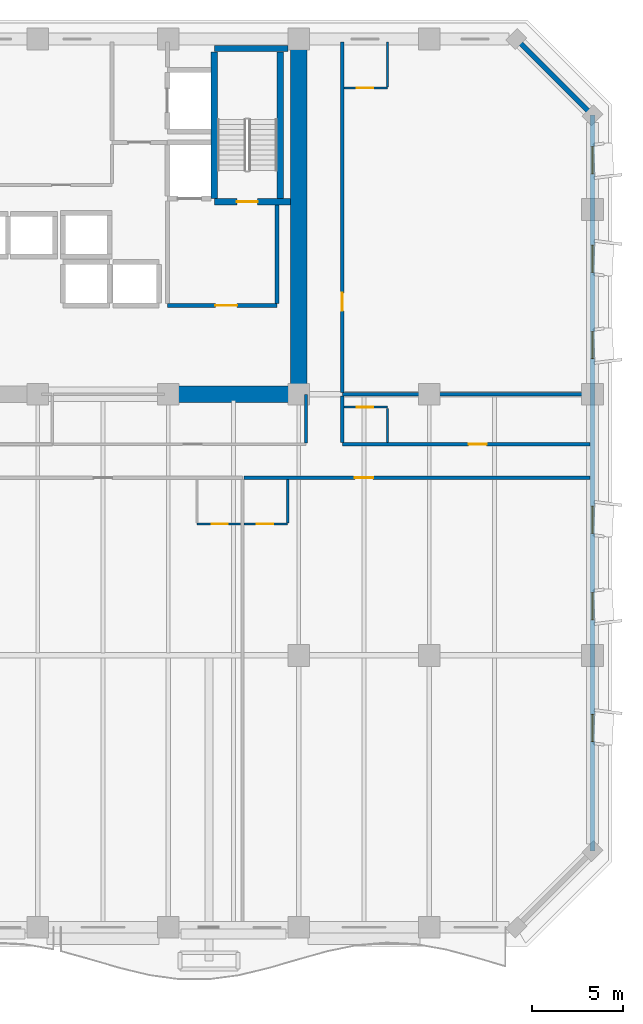
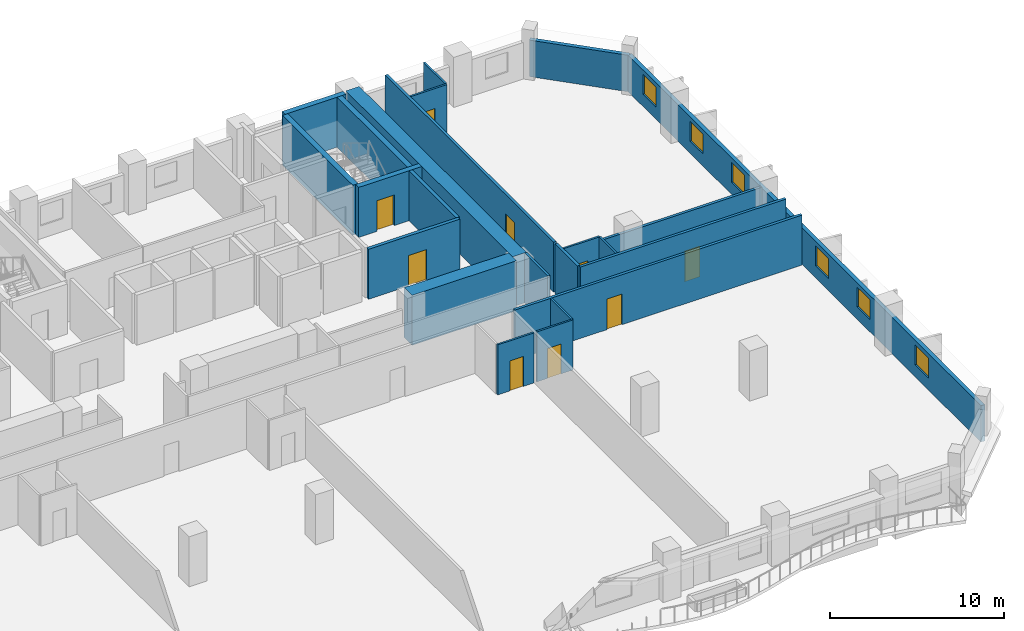
# One storey, part 9 of 14: 23 walls, 9 doors, 6 windows, 15 openings.
"""IFC4 building model written with IfcOpenShell, lengths in metres."""

from ifc_helpers import new_model, si_unit, direction, frame, frame_2d, origin, place, context, subcontext, project, spatial, rectangle, extrude, material, layer, layer_set, type_object, element, fill, save


model = new_model("IFC4")

# Units and contexts
model_context = context("Model", 3, precision=1e-05, world=origin(), true_north=direction((0.0, 1.0)))
body_context = subcontext(model_context, "Body", "Model", "MODEL_VIEW")
ifc_project = project(units=[si_unit("LENGTHUNIT", "METRE"), si_unit("AREAUNIT", "SQUARE_METRE"), si_unit("VOLUMEUNIT", "CUBIC_METRE"), si_unit("PLANEANGLEUNIT", "RADIAN"), si_unit("MASSUNIT", "GRAM", prefix="KILO")], contexts=[model_context])

# Site, building, storey
site_placement = place(None, origin())
site = spatial("IfcSite", under=ifc_project, at=site_placement, CompositionType="ELEMENT")
building_placement = place(site_placement, origin())
building = spatial("IfcBuilding", under=site, at=building_placement, Name="Kaelvorn Grand Hotel", CompositionType="ELEMENT")
storey_placement = place(building_placement, frame((0.0, 0.0, 126.800048828125)))
storey = spatial("IfcBuildingStorey", under=building, at=storey_placement, Name="L30", CompositionType="ELEMENT", Elevation=126.800048828125)

# Walls
ifc_material_1 = material(Name="Concrete C60/75", Category="concrete")
ifc_layer_1 = layer(ifc_material_1, 0.89990234375)
ifc_layer_set_1 = layer_set([ifc_layer_1], Name="Concrete C60/75")
wall_type_1 = type_object("IfcWallType", Name="WL-CORE-900-C60", PredefinedType="SHEAR", material=ifc_layer_set_1)
wall_1_placement = place(storey_placement, frame((67.800048828125, 29.39990234375, 0.0), z_axis=(0.0, 0.0, 1.0), x_axis=(0.0, 1.0, 0.0)))
element("IfcWall", 1, at=wall_1_placement, inside=storey, type_object=wall_type_1, Name="L30 Rear-Core East Shear Wall", PredefinedType="SHEAR", context=body_context, shape_type="SweptSolid", body=[
    extrude(rectangle(XDim=19.2001953125, YDim=0.89990234375, at=frame_2d((9.60009765625, 0.0))), origin(), (0.0, 0.0, 1.0), 3.510009765625),
])
wall_2_placement = place(storey_placement, frame((60.39990234375, 29.39990234375, 0.0), z_axis=(0.0, 0.0, 1.0), x_axis=(1.0, 0.0, 0.0)))
element("IfcWall", 2, at=wall_2_placement, inside=storey, type_object=wall_type_1, Name="L30 Rear-Core Coupled Shear Pier S4", PredefinedType="SHEAR", context=body_context, shape_type="SweptSolid", body=[
    extrude(rectangle(XDim=6.945068359375, YDim=0.89990234375, at=frame_2d((3.47265625, 0.0))), origin(), (0.0, 0.0, 1.0), 3.510009765625),
])

# Wall, openings, windows
ifc_material_2 = material(Name="Concrete C40/50", Category="concrete")
ifc_layer_2 = layer(ifc_material_2, 0.260009765625)
ifc_layer_set_2 = layer_set([ifc_layer_2], Name="Concrete C40/50")
wall_type_2 = type_object("IfcWallType", Name="WL-EXT-260-C40", PredefinedType="SOLIDWALL", material=ifc_layer_set_2)
wall_3_placement = place(storey_placement, frame((84.0, 4.199951171875, 0.0), z_axis=(0.0, 0.0, 1.0), x_axis=(0.0, 1.0, 0.0)))
wall_3 = element("IfcWall", 3, at=wall_3_placement, inside=storey, type_object=wall_type_2, Name="L30 Exterior Architectural Concrete Wall 03", PredefinedType="SOLIDWALL", context=body_context, shape_type="SweptSolid", body=[
    extrude(rectangle(XDim=40.60009765625, YDim=0.260009765625, at=frame_2d((20.300048828125, 0.0))), origin(), (0.0, 0.0, 1.0), 2.56005859375),
])
opening_1_placement = place(wall_3_placement, frame((6.050048828125, 0.0, 0.85009765625)))
opening_1 = element("IfcOpeningElement", 4, at=opening_1_placement, cuts=wall_3, Name="Opening W10", PredefinedType="OPENING", context=body_context, shape_type="SweptSolid", body=[
    extrude(rectangle(XDim=1.5, YDim=1.39990234375, at=frame_2d((0.75, 0.699951171875))), frame((0.0, 0.14013671875, 0.0), z_axis=(0.0, -1.0, 0.0), x_axis=(1.0, 0.0, 0.0)), (0.0, 0.0, 1.0), 0.280029296875),
])
opening_2_placement = place(wall_3_placement, frame((12.764892578125, 0.0, 0.85009765625)))
opening_2 = element("IfcOpeningElement", 5, at=opening_2_placement, cuts=wall_3, Name="Opening W10", PredefinedType="OPENING", context=body_context, shape_type="SweptSolid", body=[
    extrude(rectangle(XDim=1.5, YDim=1.39990234375, at=frame_2d((0.75, 0.699951171875))), frame((0.0, 0.14013671875, 0.0), z_axis=(0.0, -1.0, 0.0), x_axis=(1.0, 0.0, 0.0)), (0.0, 0.0, 1.0), 0.280029296875),
])
opening_3_placement = place(wall_3_placement, frame((17.534912109375, 0.0, 0.85009765625)))
opening_3 = element("IfcOpeningElement", 6, at=opening_3_placement, cuts=wall_3, Name="Opening W10", PredefinedType="OPENING", context=body_context, shape_type="SweptSolid", body=[
    extrude(rectangle(XDim=1.5, YDim=1.39990234375, at=frame_2d((0.75, 0.699951171875))), frame((0.0, 0.14013671875, 0.0), z_axis=(0.0, -1.0, 0.0), x_axis=(1.0, 0.0, 0.0)), (0.0, 0.0, 1.0), 0.280029296875),
])
opening_4_placement = place(wall_3_placement, frame((27.1650390625, 0.0, 0.85009765625)))
opening_4 = element("IfcOpeningElement", 7, at=opening_4_placement, cuts=wall_3, Name="Opening W10", PredefinedType="OPENING", context=body_context, shape_type="SweptSolid", body=[
    extrude(rectangle(XDim=1.5, YDim=1.39990234375, at=frame_2d((0.75, 0.699951171875))), frame((0.0, 0.14013671875, 0.0), z_axis=(0.0, -1.0, 0.0), x_axis=(1.0, 0.0, 0.0)), (0.0, 0.0, 1.0), 0.280029296875),
])
opening_5_placement = place(wall_3_placement, frame((31.93505859375, 0.0, 0.85009765625)))
opening_5 = element("IfcOpeningElement", 8, at=opening_5_placement, cuts=wall_3, Name="Opening W10", PredefinedType="OPENING", context=body_context, shape_type="SweptSolid", body=[
    extrude(rectangle(XDim=1.5, YDim=1.39990234375, at=frame_2d((0.75, 0.699951171875))), frame((0.0, 0.14013671875, 0.0), z_axis=(0.0, -1.0, 0.0), x_axis=(1.0, 0.0, 0.0)), (0.0, 0.0, 1.0), 0.280029296875),
])
opening_6_placement = place(wall_3_placement, frame((37.364990234375, 0.0, 0.85009765625)))
opening_6 = element("IfcOpeningElement", 9, at=opening_6_placement, cuts=wall_3, Name="Opening W10", PredefinedType="OPENING", context=body_context, shape_type="SweptSolid", body=[
    extrude(rectangle(XDim=1.5, YDim=1.39990234375, at=frame_2d((0.75, 0.699951171875))), frame((0.0, 0.14013671875, 0.0), z_axis=(0.0, -1.0, 0.0), x_axis=(1.0, 0.0, 0.0)), (0.0, 0.0, 1.0), 0.280029296875),
])
ifc_material_3 = material(Name="Laminated Low-E Glass", Category="glass")
window_type = type_object("IfcWindowType", Name="WIN-COR-1500x1400", PartitioningType="SINGLE_PANEL", PredefinedType="WINDOW", material=ifc_material_3)
window_1_placement = place(opening_1_placement, origin())
window_1 = element("IfcWindow", 10, at=window_1_placement, inside=storey, type_object=window_type, Name="L30 E Wing Tilted-Frame Ribbon Window E01", OverallHeight=1.39990234375, OverallWidth=1.5, PartitioningType="SINGLE_PANEL", PredefinedType="WINDOW", context=body_context, shape_type="SweptSolid", body=[
    extrude(rectangle(XDim=1.5, YDim=1.39990234375, at=frame_2d((0.75, 0.699951171875))), frame((0.0, 0.030029296875, 0.0), z_axis=(0.0, -1.0, 0.0), x_axis=(1.0, 0.0, 0.0)), (0.0, 0.0, 1.0), 0.06005859375),
])
fill(opening_1, window_1)
window_2_placement = place(opening_2_placement, origin())
window_2 = element("IfcWindow", 11, at=window_2_placement, inside=storey, type_object=window_type, Name="L30 E Wing Tilted-Frame Ribbon Window E02", OverallHeight=1.39990234375, OverallWidth=1.5, PartitioningType="SINGLE_PANEL", PredefinedType="WINDOW", context=body_context, shape_type="SweptSolid", body=[
    extrude(rectangle(XDim=1.5, YDim=1.39990234375, at=frame_2d((0.75, 0.699951171875))), frame((0.0, 0.030029296875, 0.0), z_axis=(0.0, -1.0, 0.0), x_axis=(1.0, 0.0, 0.0)), (0.0, 0.0, 1.0), 0.06005859375),
])
fill(opening_2, window_2)
window_3_placement = place(opening_3_placement, origin())
window_3 = element("IfcWindow", 12, at=window_3_placement, inside=storey, type_object=window_type, Name="L30 E Wing Tilted-Frame Ribbon Window E03", OverallHeight=1.39990234375, OverallWidth=1.5, PartitioningType="SINGLE_PANEL", PredefinedType="WINDOW", context=body_context, shape_type="SweptSolid", body=[
    extrude(rectangle(XDim=1.5, YDim=1.39990234375, at=frame_2d((0.75, 0.699951171875))), frame((0.0, 0.030029296875, 0.0), z_axis=(0.0, -1.0, 0.0), x_axis=(1.0, 0.0, 0.0)), (0.0, 0.0, 1.0), 0.06005859375),
])
fill(opening_3, window_3)
window_4_placement = place(opening_4_placement, origin())
window_4 = element("IfcWindow", 13, at=window_4_placement, inside=storey, type_object=window_type, Name="L30 E Wing Tilted-Frame Ribbon Window E04", OverallHeight=1.39990234375, OverallWidth=1.5, PartitioningType="SINGLE_PANEL", PredefinedType="WINDOW", context=body_context, shape_type="SweptSolid", body=[
    extrude(rectangle(XDim=1.5, YDim=1.39990234375, at=frame_2d((0.75, 0.699951171875))), frame((0.0, 0.030029296875, 0.0), z_axis=(0.0, -1.0, 0.0), x_axis=(1.0, 0.0, 0.0)), (0.0, 0.0, 1.0), 0.06005859375),
])
fill(opening_4, window_4)
window_5_placement = place(opening_5_placement, origin())
window_5 = element("IfcWindow", 14, at=window_5_placement, inside=storey, type_object=window_type, Name="L30 E Wing Tilted-Frame Ribbon Window E05", OverallHeight=1.39990234375, OverallWidth=1.5, PartitioningType="SINGLE_PANEL", PredefinedType="WINDOW", context=body_context, shape_type="SweptSolid", body=[
    extrude(rectangle(XDim=1.5, YDim=1.39990234375, at=frame_2d((0.75, 0.699951171875))), frame((0.0, 0.030029296875, 0.0), z_axis=(0.0, -1.0, 0.0), x_axis=(1.0, 0.0, 0.0)), (0.0, 0.0, 1.0), 0.06005859375),
])
fill(opening_5, window_5)
window_6_placement = place(opening_6_placement, origin())
window_6 = element("IfcWindow", 15, at=window_6_placement, inside=storey, type_object=window_type, Name="L30 E Wing Tilted-Frame Ribbon Window E06", OverallHeight=1.39990234375, OverallWidth=1.5, PartitioningType="SINGLE_PANEL", PredefinedType="WINDOW", context=body_context, shape_type="SweptSolid", body=[
    extrude(rectangle(XDim=1.5, YDim=1.39990234375, at=frame_2d((0.75, 0.699951171875))), frame((0.0, 0.030029296875, 0.0), z_axis=(0.0, -1.0, 0.0), x_axis=(1.0, 0.0, 0.0)), (0.0, 0.0, 1.0), 0.06005859375),
])
fill(opening_6, window_6)

# Wall
wall_4_placement = place(storey_placement, frame((84.0, 44.800048828125, 0.0), z_axis=(0.0, 0.0, 1.0), x_axis=(-0.707106781187, 0.707106781187, 0.0)))
element("IfcWall", 16, at=wall_4_placement, inside=storey, type_object=wall_type_2, Name="L30 Exterior Architectural Concrete Wall 04", PredefinedType="SOLIDWALL", context=body_context, shape_type="SweptSolid", body=[
    extrude(rectangle(XDim=5.939697265625, YDim=0.260009765625, at=frame_2d((2.9697265625, 0.0))), origin(), (0.0, 0.0, 1.0), 2.56005859375),
])

# Wall, opening, door
ifc_material_4 = material(Name="Moisture-Resistant Tile & Stud Board")
ifc_layer_3 = layer(ifc_material_4, 0.125)
ifc_layer_set_3 = layer_set([ifc_layer_3], Name="Moisture-Resistant Tile & Stud Board")
wall_type_3 = type_object("IfcWallType", Name="WL-PART-125-WET", PredefinedType="PARTITIONING", material=ifc_layer_set_3)
wall_5_placement = place(storey_placement, frame((62.190673828125, 22.25, 0.0), z_axis=(0.0, 0.0, 1.0), x_axis=(1.0, 0.0, 0.0)))
wall_5 = element("IfcWall", 17, at=wall_5_placement, inside=storey, type_object=wall_type_3, Name="L30 En-suite Bathroom L30-04 S Partition", PredefinedType="PARTITIONING", context=body_context, shape_type="SweptSolid", body=[
    extrude(rectangle(XDim=2.405029296875, YDim=0.125, at=frame_2d((1.20263671875, 0.0))), origin(), (0.0, 0.0, 1.0), 3.510009765625),
])
opening_7_placement = place(wall_5_placement, frame((0.800048828125, 0.0, 0.0)))
opening_7 = element("IfcOpeningElement", 18, at=opening_7_placement, cuts=wall_5, Name="Opening DI4", PredefinedType="OPENING", context=body_context, shape_type="SweptSolid", body=[
    extrude(rectangle(XDim=0.89990234375, YDim=2.10009765625, at=frame_2d((0.449951171875, 1.050048828125))), frame((0.0, 0.072509765625, 0.0), z_axis=(0.0, -1.0, 0.0), x_axis=(1.0, 0.0, 0.0)), (0.0, 0.0, 1.0), 0.14501953125),
])
ifc_material_5 = material(Name="Timber Veneer Leaf", Category="wood")
door_type_1 = type_object("IfcDoorType", Name="DR-INT-BATH-900x2100", OperationType="NOTDEFINED", PredefinedType="DOOR", material=ifc_material_5)
door_1_placement = place(opening_7_placement, origin())
door_1 = element("IfcDoor", 19, at=door_1_placement, inside=storey, type_object=door_type_1, Name="L30 En-suite Bathroom L30-04 Door", OperationType="SINGLE_SWING_RIGHT", OverallHeight=2.10009765625, OverallWidth=0.89990234375, PredefinedType="DOOR", context=body_context, shape_type="SweptSolid", body=[
    extrude(rectangle(XDim=0.89990234375, YDim=2.10009765625, at=frame_2d((0.449951171875, 1.050048828125))), frame((0.0, 0.02490234375, 0.0), z_axis=(0.0, -1.0, 0.0), x_axis=(1.0, 0.0, 0.0)), (0.0, 0.0, 1.0), 0.050048828125),
])
fill(opening_7, door_1)

wall_6_placement = place(storey_placement, frame((64.78564453125, 22.25, 0.0), z_axis=(0.0, 0.0, 1.0), x_axis=(1.0, 0.0, 0.0)))
wall_6 = element("IfcWall", 20, at=wall_6_placement, inside=storey, type_object=wall_type_3, Name="L30 En-suite Bathroom L30-05 S Partition", PredefinedType="PARTITIONING", context=body_context, shape_type="SweptSolid", body=[
    extrude(rectangle(XDim=2.405029296875, YDim=0.125, at=frame_2d((1.20263671875, 0.0))), origin(), (0.0, 0.0, 1.0), 3.510009765625),
])
opening_8_placement = place(wall_6_placement, frame((0.705078125, 0.0, 0.0)))
opening_8 = element("IfcOpeningElement", 21, at=opening_8_placement, cuts=wall_6, Name="Opening DI4", PredefinedType="OPENING", context=body_context, shape_type="SweptSolid", body=[
    extrude(rectangle(XDim=0.89990234375, YDim=2.10009765625, at=frame_2d((0.449951171875, 1.050048828125))), frame((0.0, 0.072509765625, 0.0), z_axis=(0.0, -1.0, 0.0), x_axis=(1.0, 0.0, 0.0)), (0.0, 0.0, 1.0), 0.14501953125),
])
door_2_placement = place(opening_8_placement, origin())
door_2 = element("IfcDoor", 22, at=door_2_placement, inside=storey, type_object=door_type_1, Name="L30 En-suite Bathroom L30-05 Door", OperationType="SINGLE_SWING_RIGHT", OverallHeight=2.10009765625, OverallWidth=0.89990234375, PredefinedType="DOOR", context=body_context, shape_type="SweptSolid", body=[
    extrude(rectangle(XDim=0.89990234375, YDim=2.10009765625, at=frame_2d((0.449951171875, 1.050048828125))), frame((0.0, 0.02490234375, 0.0), z_axis=(0.0, -1.0, 0.0), x_axis=(1.0, 0.0, 0.0)), (0.0, 0.0, 1.0), 0.050048828125),
])
fill(opening_8, door_2)

# Wall
wall_7_placement = place(storey_placement, frame((67.190673828125, 22.3173828125, 0.0), z_axis=(0.0, 0.0, 1.0), x_axis=(0.0, 1.0, 0.0)))
element("IfcWall", 23, at=wall_7_placement, inside=storey, type_object=wall_type_3, Name="L30 En-suite Bathroom L30-05 E Partition", PredefinedType="PARTITIONING", context=body_context, shape_type="SweptSolid", body=[
    extrude(rectangle(XDim=2.3876953125, YDim=0.125, at=frame_2d((1.19384765625, 0.0))), origin(), (0.0, 0.0, 1.0), 3.510009765625),
])

# Wall, opening, door
wall_8_placement = place(storey_placement, frame((70.294921875, 28.699951171875, 0.0), z_axis=(0.0, 0.0, 1.0), x_axis=(1.0, 0.0, 0.0)))
wall_8 = element("IfcWall", 24, at=wall_8_placement, inside=storey, type_object=wall_type_3, Name="L30 En-suite Bathroom L30-07 N Partition", PredefinedType="PARTITIONING", context=body_context, shape_type="SweptSolid", body=[
    extrude(rectangle(XDim=2.405029296875, YDim=0.125, at=frame_2d((1.20263671875, 0.0))), origin(), (0.0, 0.0, 1.0), 3.510009765625),
])
opening_9_placement = place(wall_8_placement, frame((0.705078125, 0.0, 0.0)))
opening_9 = element("IfcOpeningElement", 25, at=opening_9_placement, cuts=wall_8, Name="Opening DI4", PredefinedType="OPENING", context=body_context, shape_type="SweptSolid", body=[
    extrude(rectangle(XDim=0.89990234375, YDim=2.10009765625, at=frame_2d((0.449951171875, 1.050048828125))), frame((0.0, 0.072509765625, 0.0), z_axis=(0.0, -1.0, 0.0), x_axis=(1.0, 0.0, 0.0)), (0.0, 0.0, 1.0), 0.14501953125),
])
door_3_placement = place(opening_9_placement, origin())
door_3 = element("IfcDoor", 26, at=door_3_placement, inside=storey, type_object=door_type_1, Name="L30 En-suite Bathroom L30-07 Door", OperationType="SINGLE_SWING_RIGHT", OverallHeight=2.10009765625, OverallWidth=0.89990234375, PredefinedType="DOOR", context=body_context, shape_type="SweptSolid", body=[
    extrude(rectangle(XDim=0.89990234375, YDim=2.10009765625, at=frame_2d((0.449951171875, 1.050048828125))), frame((0.0, 0.02490234375, 0.0), z_axis=(0.0, -1.0, 0.0), x_axis=(1.0, 0.0, 0.0)), (0.0, 0.0, 1.0), 0.050048828125),
])
fill(opening_9, door_3)

# Wall
wall_9_placement = place(storey_placement, frame((72.699951171875, 26.7451171875, 0.0), z_axis=(0.0, 0.0, 1.0), x_axis=(0.0, 1.0, 0.0)))
element("IfcWall", 27, at=wall_9_placement, inside=storey, type_object=wall_type_3, Name="L30 En-suite Bathroom L30-07 E Partition", PredefinedType="PARTITIONING", context=body_context, shape_type="SweptSolid", body=[
    extrude(rectangle(XDim=1.887451171875, YDim=0.125, at=frame_2d((0.94384765625, 0.0))), origin(), (0.0, 0.0, 1.0), 3.510009765625),
])

# Wall, opening, door
wall_10_placement = place(storey_placement, frame((70.294921875, 46.300048828125, 0.0), z_axis=(0.0, 0.0, 1.0), x_axis=(1.0, 0.0, 0.0)))
wall_10 = element("IfcWall", 28, at=wall_10_placement, inside=storey, type_object=wall_type_3, Name="L30 En-suite Bathroom L30-08 S Partition", PredefinedType="PARTITIONING", context=body_context, shape_type="SweptSolid", body=[
    extrude(rectangle(XDim=2.405029296875, YDim=0.125, at=frame_2d((1.20263671875, 0.0))), origin(), (0.0, 0.0, 1.0), 3.510009765625),
])
opening_10_placement = place(wall_10_placement, frame((0.705078125, 0.0, 0.0)))
opening_10 = element("IfcOpeningElement", 29, at=opening_10_placement, cuts=wall_10, Name="Opening DI4", PredefinedType="OPENING", context=body_context, shape_type="SweptSolid", body=[
    extrude(rectangle(XDim=0.89990234375, YDim=2.10009765625, at=frame_2d((0.449951171875, 1.050048828125))), frame((0.0, 0.072509765625, 0.0), z_axis=(0.0, -1.0, 0.0), x_axis=(1.0, 0.0, 0.0)), (0.0, 0.0, 1.0), 0.14501953125),
])
door_4_placement = place(opening_10_placement, origin())
door_4 = element("IfcDoor", 30, at=door_4_placement, inside=storey, type_object=door_type_1, Name="L30 En-suite Bathroom L30-08 Door", OperationType="SINGLE_SWING_RIGHT", OverallHeight=2.10009765625, OverallWidth=0.89990234375, PredefinedType="DOOR", context=body_context, shape_type="SweptSolid", body=[
    extrude(rectangle(XDim=0.89990234375, YDim=2.10009765625, at=frame_2d((0.449951171875, 1.050048828125))), frame((0.0, 0.02490234375, 0.0), z_axis=(0.0, -1.0, 0.0), x_axis=(1.0, 0.0, 0.0)), (0.0, 0.0, 1.0), 0.050048828125),
])
fill(opening_10, door_4)

# Walls
wall_11_placement = place(storey_placement, frame((72.699951171875, 46.367431640625, 0.0), z_axis=(0.0, 0.0, 1.0), x_axis=(0.0, 1.0, 0.0)))
element("IfcWall", 31, at=wall_11_placement, inside=storey, type_object=wall_type_3, Name="L30 En-suite Bathroom L30-08 E Partition", PredefinedType="PARTITIONING", context=body_context, shape_type="SweptSolid", body=[
    extrude(rectangle(XDim=2.482666015625, YDim=0.125, at=frame_2d((1.2412109375, 0.0))), origin(), (0.0, 0.0, 1.0), 3.510009765625),
])
ifc_material_6 = material(Name="Acoustic Gypsum & Stud Partition")
ifc_layer_4 = layer(ifc_material_6, 0.14990234375)
ifc_layer_set_4 = layer_set([ifc_layer_4], Name="Acoustic Gypsum & Stud Partition")
wall_type_4 = type_object("IfcWallType", Name="WL-PART-150-EI60", PredefinedType="PARTITIONING", material=ifc_layer_set_4)
wall_12_placement = place(storey_placement, frame((68.199951171875, 26.72998046875, 0.0), z_axis=(0.0, 0.0, 1.0), x_axis=(0.0, 1.0, 0.0)))
element("IfcWall", 32, at=wall_12_placement, inside=storey, type_object=wall_type_4, Name="L30 Diplomatic Chancery Office E Partition", PredefinedType="PARTITIONING", context=body_context, shape_type="SweptSolid", body=[
    extrude(rectangle(XDim=2.659912109375, YDim=0.14990234375, at=frame_2d((1.330078125, 0.0))), origin(), (0.0, 0.0, 1.0), 3.510009765625),
])

# Wall, opening, door
ifc_layer_5 = layer(ifc_material_6, 0.179931640625)
ifc_layer_set_5 = layer_set([ifc_layer_5], Name="Acoustic Gypsum & Stud Partition")
wall_type_5 = type_object("IfcWallType", Name="WL-PART-180-EI60", PredefinedType="PARTITIONING", material=ifc_layer_set_5)
wall_13_placement = place(storey_placement, frame((64.78564453125, 24.800048828125, 0.0), z_axis=(0.0, 0.0, 1.0), x_axis=(1.0, 0.0, 0.0)))
wall_13 = element("IfcWall", 33, at=wall_13_placement, inside=storey, type_object=wall_type_5, Name="L30 Presidential Sky Suite L30-05 N Partition", PredefinedType="PARTITIONING", context=body_context, shape_type="SweptSolid", body=[
    extrude(rectangle(XDim=19.064453125, YDim=0.179931640625, at=frame_2d((9.5322265625, 0.0))), origin(), (0.0, 0.0, 1.0), 3.510009765625),
])
opening_11_placement = place(wall_13_placement, frame((6.114501953125, 0.0, 0.0)))
opening_11 = element("IfcOpeningElement", 34, at=opening_11_placement, cuts=wall_13, Name="Opening DI3", PredefinedType="OPENING", context=body_context, shape_type="SweptSolid", body=[
    extrude(rectangle(XDim=1.0, YDim=2.14990234375, at=frame_2d((0.5, 1.074951171875))), frame((0.0, 0.10009765625, 0.0), z_axis=(0.0, -1.0, 0.0), x_axis=(1.0, 0.0, 0.0)), (0.0, 0.0, 1.0), 0.199951171875),
])
ifc_material_7 = material(Name="Timber Veneer Fire Leaf", Category="wood")
door_type_2 = type_object("IfcDoorType", Name="DR-INT-GUEST-1000x2150", OperationType="NOTDEFINED", PredefinedType="DOOR", material=ifc_material_7)
door_5_placement = place(opening_11_placement, origin())
door_5 = element("IfcDoor", 35, at=door_5_placement, inside=storey, type_object=door_type_2, Name="L30 Presidential Sky Suite L30-05 Door", OperationType="SINGLE_SWING_LEFT", OverallHeight=2.14990234375, OverallWidth=1.0, PredefinedType="DOOR", context=body_context, shape_type="SweptSolid", body=[
    extrude(rectangle(XDim=1.0, YDim=2.14990234375, at=frame_2d((0.5, 1.074951171875))), frame((0.0, 0.02490234375, 0.0), z_axis=(0.0, -1.0, 0.0), x_axis=(1.0, 0.0, 0.0)), (0.0, 0.0, 1.0), 0.050048828125),
])
fill(opening_11, door_5)

wall_14_placement = place(storey_placement, frame((70.199951171875, 26.64990234375, 0.0), z_axis=(0.0, 0.0, 1.0), x_axis=(1.0, 0.0, 0.0)))
wall_14 = element("IfcWall", 36, at=wall_14_placement, inside=storey, type_object=wall_type_5, Name="L30 East Chamfer Corner Suite L30-07 S Partition", PredefinedType="PARTITIONING", context=body_context, shape_type="SweptSolid", body=[
    extrude(rectangle(XDim=13.650146484375, YDim=0.179931640625, at=frame_2d((6.8251953125, 0.0))), origin(), (0.0, 0.0, 1.0), 3.510009765625),
])
opening_12_placement = place(wall_14_placement, frame((6.965087890625, 0.0, 0.0)))
opening_12 = element("IfcOpeningElement", 37, at=opening_12_placement, cuts=wall_14, Name="Opening DI3", PredefinedType="OPENING", context=body_context, shape_type="SweptSolid", body=[
    extrude(rectangle(XDim=1.0, YDim=2.14990234375, at=frame_2d((0.5, 1.074951171875))), frame((0.0, 0.10009765625, 0.0), z_axis=(0.0, -1.0, 0.0), x_axis=(1.0, 0.0, 0.0)), (0.0, 0.0, 1.0), 0.199951171875),
])
door_6_placement = place(opening_12_placement, origin())
door_6 = element("IfcDoor", 38, at=door_6_placement, inside=storey, type_object=door_type_2, Name="L30 East Chamfer Corner Suite L30-07 Door", OperationType="SINGLE_SWING_LEFT", OverallHeight=2.14990234375, OverallWidth=1.0, PredefinedType="DOOR", context=body_context, shape_type="SweptSolid", body=[
    extrude(rectangle(XDim=1.0, YDim=2.14990234375, at=frame_2d((0.5, 1.074951171875))), frame((0.0, 0.02490234375, 0.0), z_axis=(0.0, -1.0, 0.0), x_axis=(1.0, 0.0, 0.0)), (0.0, 0.0, 1.0), 0.050048828125),
])
fill(opening_12, door_6)

# Walls
wall_15_placement = place(storey_placement, frame((70.199951171875, 29.39990234375, 0.0), z_axis=(0.0, 0.0, 1.0), x_axis=(1.0, 0.0, 0.0)))
element("IfcWall", 39, at=wall_15_placement, inside=storey, type_object=wall_type_5, Name="L30 East Chamfer Corner Suite L30-07 N Partition", PredefinedType="PARTITIONING", context=body_context, shape_type="SweptSolid", body=[
    extrude(rectangle(XDim=13.650146484375, YDim=0.179931640625, at=frame_2d((6.8251953125, 0.0))), origin(), (0.0, 0.0, 1.0), 2.669189453125),
])
wall_16_placement = place(storey_placement, frame((70.199951171875, 26.7451171875, 0.0), z_axis=(0.0, 0.0, 1.0), x_axis=(0.0, 1.0, 0.0)))
element("IfcWall", 40, at=wall_16_placement, inside=storey, type_object=wall_type_5, Name="L30 East Chamfer Corner Suite L30-07 W Partition", PredefinedType="PARTITIONING", context=body_context, shape_type="SweptSolid", body=[
    extrude(rectangle(XDim=2.559814453125, YDim=0.179931640625, at=frame_2d((1.27978515625, 0.0))), origin(), (0.0, 0.0, 1.0), 3.510009765625),
])

# Wall, opening, door
wall_17_placement = place(storey_placement, frame((70.199951171875, 29.4951171875, 0.0), z_axis=(0.0, 0.0, 1.0), x_axis=(0.0, 1.0, 0.0)))
wall_17 = element("IfcWall", 41, at=wall_17_placement, inside=storey, type_object=wall_type_5, Name="L30 Presidential Sky Suite L30-08 W Partition", PredefinedType="PARTITIONING", context=body_context, shape_type="SweptSolid", body=[
    extrude(rectangle(XDim=19.35498046875, YDim=0.179931640625, at=frame_2d((9.677490234375, 0.0))), origin(), (0.0, 0.0, 1.0), 3.510009765625),
])
opening_13_placement = place(wall_17_placement, frame((4.5048828125, 0.0, 0.0)))
opening_13 = element("IfcOpeningElement", 42, at=opening_13_placement, cuts=wall_17, Name="Opening DI3", PredefinedType="OPENING", context=body_context, shape_type="SweptSolid", body=[
    extrude(rectangle(XDim=1.0, YDim=2.14990234375, at=frame_2d((0.5, 1.074951171875))), frame((0.0, 0.10009765625, 0.0), z_axis=(0.0, -1.0, 0.0), x_axis=(1.0, 0.0, 0.0)), (0.0, 0.0, 1.0), 0.199951171875),
])
door_7_placement = place(opening_13_placement, origin())
door_7 = element("IfcDoor", 43, at=door_7_placement, inside=storey, type_object=door_type_2, Name="L30 Presidential Sky Suite L30-08 Door", OperationType="SINGLE_SWING_LEFT", OverallHeight=2.14990234375, OverallWidth=1.0, PredefinedType="DOOR", context=body_context, shape_type="SweptSolid", body=[
    extrude(rectangle(XDim=1.0, YDim=2.14990234375, at=frame_2d((0.5, 1.074951171875))), frame((0.0, 0.02490234375, 0.0), z_axis=(0.0, -1.0, 0.0), x_axis=(1.0, 0.0, 0.0)), (0.0, 0.0, 1.0), 0.050048828125),
])
fill(opening_13, door_7)

ifc_layer_6 = layer(ifc_material_2, 0.219970703125)
ifc_layer_set_6 = layer_set([ifc_layer_6], Name="Concrete C40/50")
wall_type_6 = type_object("IfcWallType", Name="WL-PART-220-EI120", PredefinedType="PARTITIONING", material=ifc_layer_set_6)
wall_18_placement = place(storey_placement, frame((60.550048828125, 34.300048828125, 0.0), z_axis=(0.0, 0.0, 1.0), x_axis=(1.0, 0.0, 0.0)))
wall_18 = element("IfcWall", 44, at=wall_18_placement, inside=storey, type_object=wall_type_6, Name="L30 Firefighting Lift Lobby 2 S Partition", PredefinedType="PARTITIONING", context=body_context, shape_type="SweptSolid", body=[
    extrude(rectangle(XDim=6.050048828125, YDim=0.219970703125, at=frame_2d((3.02490234375, 0.0))), origin(), (0.0, 0.0, 1.0), 3.510009765625),
])
opening_14_placement = place(wall_18_placement, frame((2.64990234375, 0.0, 0.0)))
opening_14 = element("IfcOpeningElement", 45, at=opening_14_placement, cuts=wall_18, Name="Opening DI2", PredefinedType="OPENING", context=body_context, shape_type="SweptSolid", body=[
    extrude(rectangle(XDim=1.199951171875, YDim=2.14990234375, at=frame_2d((0.60009765625, 1.074951171875))), frame((0.0, 0.1201171875, 0.0), z_axis=(0.0, -1.0, 0.0), x_axis=(1.0, 0.0, 0.0)), (0.0, 0.0, 1.0), 0.239990234375),
])
door_type_3 = type_object("IfcDoorType", Name="DR-INT-FFLOB-1200x2150", OperationType="NOTDEFINED", PredefinedType="DOOR", material=ifc_material_7)
door_8_placement = place(opening_14_placement, origin())
door_8 = element("IfcDoor", 46, at=door_8_placement, inside=storey, type_object=door_type_3, Name="L30 Firefighting Lift Lobby 2 Door", OperationType="SINGLE_SWING_RIGHT", OverallHeight=2.14990234375, OverallWidth=1.199951171875, PredefinedType="DOOR", context=body_context, shape_type="SweptSolid", body=[
    extrude(rectangle(XDim=1.199951171875, YDim=2.14990234375, at=frame_2d((0.60009765625, 1.074951171875))), frame((0.0, 0.02490234375, 0.0), z_axis=(0.0, -1.0, 0.0), x_axis=(1.0, 0.0, 0.0)), (0.0, 0.0, 1.0), 0.050048828125),
])
fill(opening_14, door_8)

# Wall
wall_19_placement = place(storey_placement, frame((66.60009765625, 34.4150390625, 0.0), z_axis=(0.0, 0.0, 1.0), x_axis=(0.0, 1.0, 0.0)))
element("IfcWall", 47, at=wall_19_placement, inside=storey, type_object=wall_type_6, Name="L30 Firefighting Lift Lobby 2 E Partition", PredefinedType="PARTITIONING", context=body_context, shape_type="SweptSolid", body=[
    extrude(rectangle(XDim=5.429931640625, YDim=0.219970703125, at=frame_2d((2.71484375, 0.0))), origin(), (0.0, 0.0, 1.0), 3.510009765625),
])

# Wall, opening, door
ifc_layer_7 = layer(ifc_material_1, 0.35009765625)
ifc_layer_set_7 = layer_set([ifc_layer_7], Name="Concrete C60/75")
wall_type_7 = type_object("IfcWallType", Name="WL-SHAFT-350-C60", PredefinedType="SHEAR", material=ifc_layer_set_7)
wall_20_placement = place(storey_placement, frame((63.14501953125, 40.02490234375, 0.0), z_axis=(0.0, 0.0, 1.0), x_axis=(1.0, 0.0, 0.0)))
wall_20 = element("IfcWall", 48, at=wall_20_placement, inside=storey, type_object=wall_type_7, Name="L30 ST3 Stair Shaft South Wall", PredefinedType="SHEAR", context=body_context, shape_type="SweptSolid", body=[
    extrude(rectangle(XDim=4.199951171875, YDim=0.35009765625, at=frame_2d((2.10009765625, 0.0))), origin(), (0.0, 0.0, 1.0), 3.510009765625),
])
opening_15_placement = place(wall_20_placement, frame((1.239990234375, 0.0, 0.0)))
opening_15 = element("IfcOpeningElement", 49, at=opening_15_placement, cuts=wall_20, Name="Opening DI1", PredefinedType="OPENING", context=body_context, shape_type="SweptSolid", body=[
    extrude(rectangle(XDim=1.14990234375, YDim=2.14990234375, at=frame_2d((0.574951171875, 1.074951171875))), frame((0.0, 0.18505859375, 0.0), z_axis=(0.0, -1.0, 0.0), x_axis=(1.0, 0.0, 0.0)), (0.0, 0.0, 1.0), 0.3701171875),
])
door_type_4 = type_object("IfcDoorType", Name="DR-INT-STAIR-1150x2150", OperationType="NOTDEFINED", PredefinedType="DOOR", material=ifc_material_7)
door_9_placement = place(opening_15_placement, origin())
door_9 = element("IfcDoor", 50, at=door_9_placement, inside=storey, type_object=door_type_4, Name="L30 ST3 Exit Stair Fire Door", OperationType="SINGLE_SWING_RIGHT", OverallHeight=2.14990234375, OverallWidth=1.14990234375, PredefinedType="DOOR", context=body_context, shape_type="SweptSolid", body=[
    extrude(rectangle(XDim=1.14990234375, YDim=2.14990234375, at=frame_2d((0.574951171875, 1.074951171875))), frame((0.0, 0.02490234375, 0.0), z_axis=(0.0, -1.0, 0.0), x_axis=(1.0, 0.0, 0.0)), (0.0, 0.0, 1.0), 0.050048828125),
])
fill(opening_15, door_9)

# Walls
wall_21_placement = place(storey_placement, frame((63.14501953125, 48.47509765625, 0.0), z_axis=(0.0, 0.0, 1.0), x_axis=(1.0, 0.0, 0.0)))
element("IfcWall", 51, at=wall_21_placement, inside=storey, type_object=wall_type_7, Name="L30 ST3 Stair Shaft North Wall", PredefinedType="SHEAR", context=body_context, shape_type="SweptSolid", body=[
    extrude(rectangle(XDim=4.050048828125, YDim=0.35009765625, at=frame_2d((2.02490234375, 0.0))), origin(), (0.0, 0.0, 1.0), 3.510009765625),
])
for number, where, z_axis, x_axis, name in (
    (52, (63.14501953125, 40.205078125, 0.0), (0.0, 0.0, 1.0), (0.0, 1.0, 0.0), "L30 ST3 Stair Shaft West Wall"),
    (53, (66.77490234375, 40.205078125, 0.0), (0.0, 0.0, 1.0), (0.0, 1.0, 0.0), "L30 ST3 Stair Shaft East Wall"),
):
    element("IfcWall", number, at=place(storey_placement, frame(where, z_axis=z_axis, x_axis=x_axis)), inside=storey, type_object=wall_type_7, Name=name, PredefinedType="SHEAR", context=body_context, shape_type="SweptSolid", body=[
        extrude(rectangle(XDim=8.08984375, YDim=0.35009765625, at=frame_2d((4.044921875, 0.0))), origin(), (0.0, 0.0, 1.0), 3.510009765625),
    ])

save(model, "model.ifc")
